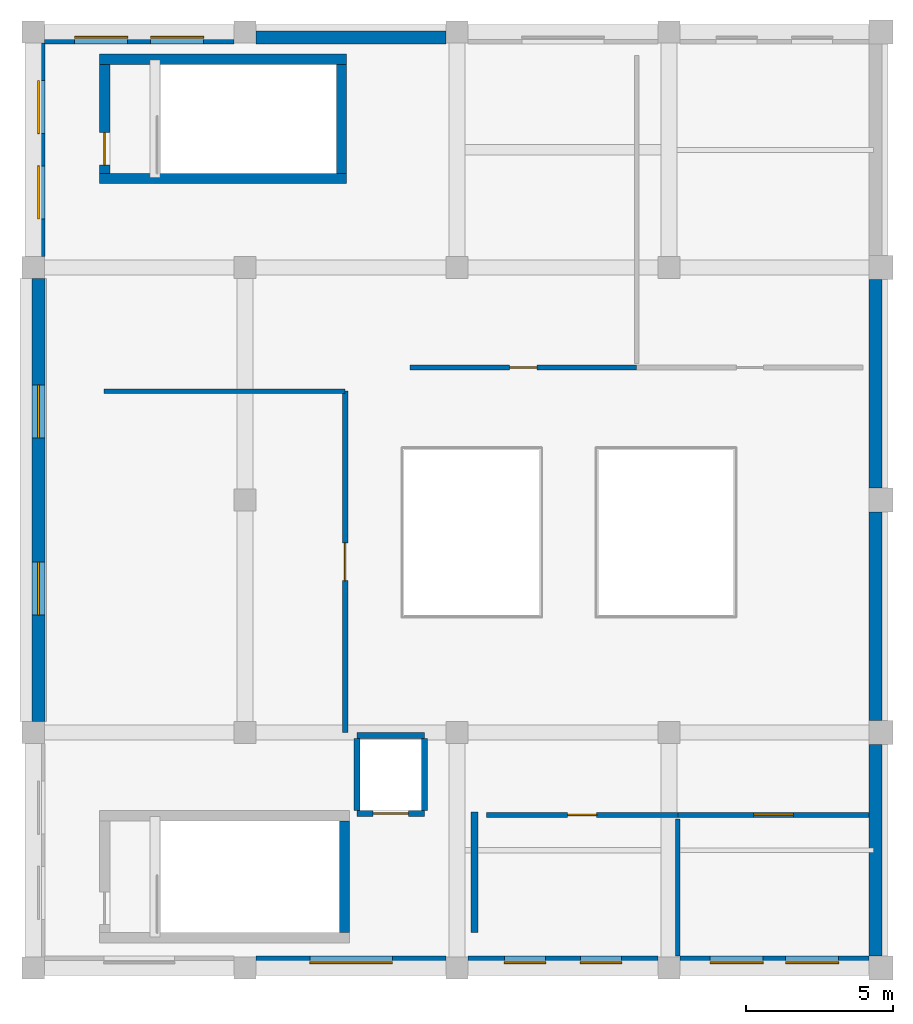
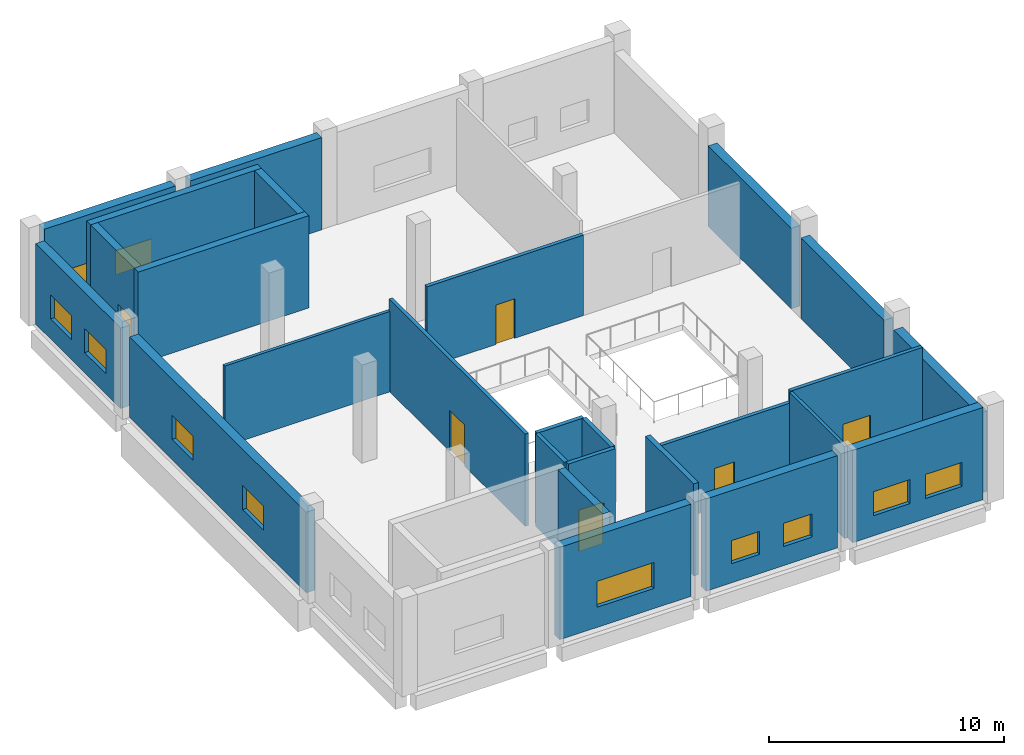
# One storey, part 2 of 4: 26 walls, 11 windows, 6 doors, 17 openings.
"""IFC4 building model written with IfcOpenShell, lengths in metres."""

from ifc_helpers import new_model, si_unit, direction, frame, frame_2d, origin, place, context, subcontext, project, spatial, rectangle, extrude, material, layer, layer_set, type_object, element, fill, save


model = new_model("IFC4")

# Units and contexts
model_context = context("Model", 3, precision=1e-05, world=origin(), true_north=direction((0.0, 1.0)))
body_context = subcontext(model_context, "Body", "Model", "MODEL_VIEW")
ifc_project = project(units=[si_unit("LENGTHUNIT", "METRE"), si_unit("AREAUNIT", "SQUARE_METRE"), si_unit("VOLUMEUNIT", "CUBIC_METRE"), si_unit("PLANEANGLEUNIT", "RADIAN"), si_unit("MASSUNIT", "GRAM", prefix="KILO")], contexts=[model_context])

# Site, building, storey
site_placement = place(None, origin())
site = spatial("IfcSite", under=ifc_project, at=site_placement, CompositionType="ELEMENT")
building_placement = place(site_placement, origin())
building = spatial("IfcBuilding", under=site, at=building_placement, Name="Kelarvand Opera House", CompositionType="ELEMENT")
storey_placement = place(building_placement, frame((0.0, 0.0, 28.5)))
storey = spatial("IfcBuildingStorey", under=building, at=storey_placement, Name="L06", CompositionType="ELEMENT", Elevation=28.5)

# Walls
ifc_material_1 = material(Name="Acoustic double-stud gypsum partition")
ifc_layer_1 = layer(ifc_material_1, 0.14990234375, Name="Acoustic double-stud gypsum partition")
ifc_layer_set_1 = layer_set([ifc_layer_1], Name="Acoustic double-stud gypsum partition")
wall_type_1 = type_object("IfcWallType", Name="Acoustic Room Partition Wall 150", PredefinedType="PARTITIONING", material=ifc_layer_set_1)
wall_1_placement = place(storey_placement, frame((61.60009765625, 66.199951171875, 0.0), z_axis=(0.0, 0.0, 1.0), x_axis=(1.0, 0.0, 0.0)))
element("IfcWall", 1, at=wall_1_placement, inside=storey, type_object=wall_type_1, Name="V2 L06 Partition Wall IW-150 (684)", PredefinedType="PARTITIONING", context=body_context, shape_type="SweptSolid", body=[
    extrude(rectangle(XDim=8.199951171875, YDim=0.14990234375, at=frame_2d((4.10009765625, 0.0))), origin(), (0.0, 0.0, 1.0), 4.184814453125),
])
wall_2_placement = place(storey_placement, frame((81.10009765625, 47.0, 0.0), z_axis=(0.0, 0.0, 1.0), x_axis=(0.0, 1.0, 0.0)))
element("IfcWall", 2, at=wall_2_placement, inside=storey, type_object=wall_type_1, Name="V2 L06 Partition Wall IW-150 (689)", PredefinedType="PARTITIONING", context=body_context, shape_type="SweptSolid", body=[
    extrude(rectangle(XDim=4.659912109375, YDim=0.14990234375, at=frame_2d((2.330078125, 0.0))), origin(), (0.0, 0.0, 1.0), 4.7919921875),
])
ifc_material_2 = material(Name="Concrete C40/50", Category="concrete")
ifc_layer_2 = layer(ifc_material_2, 0.35009765625, Name="Concrete C40/50", Category="concrete")
ifc_layer_set_2 = layer_set([ifc_layer_2], Name="Concrete C40/50")
wall_type_2 = type_object("IfcWallType", Name="Core Stair and Lift Shear Wall 350", PredefinedType="SHEAR", material=ifc_layer_set_2)
wall_3_placement = place(storey_placement, frame((69.77490234375, 51.60009765625, 0.0), z_axis=(0.0, 0.0, 1.0), x_axis=(0.0, -1.0, 0.0)))
element("IfcWall", 3, at=wall_3_placement, inside=storey, type_object=wall_type_2, Name="C2 Stair Core Shear Wall E L06", PredefinedType="SHEAR", context=body_context, shape_type="SweptSolid", body=[
    extrude(rectangle(XDim=3.800048828125, YDim=0.35009765625, at=frame_2d((1.89990234375, 0.0))), origin(), (0.0, 0.0, 1.0), 4.800048828125),
])
for number, where, z_axis, x_axis, name in (
    (4, (61.449951171875, 73.425048828125, 0.0), (0.0, 0.0, 1.0), (1.0, 0.0, 0.0), "C3 Stair Core Shear Wall S L06"),
    (5, (69.85009765625, 77.47509765625, 0.0), (0.0, 0.0, 1.0), (-1.0, 0.0, 0.0), "C3 Stair Core Shear Wall N L06"),
):
    element("IfcWall", number, at=place(storey_placement, frame(where, z_axis=z_axis, x_axis=x_axis)), inside=storey, type_object=wall_type_2, Name=name, PredefinedType="SHEAR", context=body_context, shape_type="SweptSolid", body=[
        extrude(rectangle(XDim=8.400146484375, YDim=0.35009765625, at=frame_2d((4.2001953125, 0.0))), origin(), (0.0, 0.0, 1.0), 4.800048828125),
    ])

# Wall, opening, door
wall_4_placement = place(storey_placement, frame((61.625, 73.60009765625, 0.0), z_axis=(0.0, 0.0, 1.0), x_axis=(0.0, 1.0, 0.0)))
wall_4 = element("IfcWall", 6, at=wall_4_placement, inside=storey, type_object=wall_type_2, Name="C3 Stair Core Shear Wall W L06", PredefinedType="SHEAR", context=body_context, shape_type="SweptSolid", body=[
    extrude(rectangle(XDim=3.699951171875, YDim=0.35009765625, at=frame_2d((1.85009765625, 0.0))), origin(), (0.0, 0.0, 1.0), 4.800048828125),
])
opening_1_placement = place(wall_4_placement, frame((0.280029296875, 0.0, 0.0)))
opening_1 = element("IfcOpeningElement", 7, at=opening_1_placement, cuts=wall_4, Name="Opening FD-01", PredefinedType="OPENING", context=body_context, shape_type="SweptSolid", body=[
    extrude(rectangle(XDim=1.10009765625, YDim=2.080078125, at=frame_2d((0.550048828125, 1.0400390625))), frame((0.0, 0.18505859375, 0.0), z_axis=(0.0, -1.0, 0.0), x_axis=(1.0, 0.0, 0.0)), (0.0, 0.0, 1.0), 0.3701171875),
])
ifc_material_3 = material(Name="Fire-rated brushed stainless steel", Category="steel")
door_type_1 = type_object("IfcDoorType", Name="Steel Fire-Rated Stair and FF Lobby Door 1100x2080", OperationType="NOTDEFINED", PredefinedType="DOOR", material=ifc_material_3)
door_1_placement = place(opening_1_placement, origin())
door_1 = element("IfcDoor", 8, at=door_1_placement, inside=storey, type_object=door_type_1, Name="C3 Stair ST-03 Fire Door L06", OperationType="SINGLE_SWING_RIGHT", OverallHeight=2.080078125, OverallWidth=1.10009765625, PredefinedType="DOOR", context=body_context, shape_type="SweptSolid", body=[
    extrude(rectangle(XDim=1.10009765625, YDim=2.080078125, at=frame_2d((0.550048828125, 1.0400390625))), frame((0.0, 0.02490234375, 0.0), z_axis=(0.0, -1.0, 0.0), x_axis=(1.0, 0.0, 0.0)), (0.0, 0.0, 1.0), 0.050048828125),
])
fill(opening_1, door_1)

# Wall
wall_5_placement = place(storey_placement, frame((69.675048828125, 77.300048828125, 0.0), z_axis=(0.0, 0.0, 1.0), x_axis=(0.0, -1.0, 0.0)))
element("IfcWall", 9, at=wall_5_placement, inside=storey, type_object=wall_type_2, Name="C3 Stair Core Shear Wall E L06", PredefinedType="SHEAR", context=body_context, shape_type="SweptSolid", body=[
    extrude(rectangle(XDim=3.699951171875, YDim=0.35009765625, at=frame_2d((1.85009765625, 0.0))), origin(), (0.0, 0.0, 1.0), 4.800048828125),
])

# Wall, opening, door
ifc_material_4 = material(Name="Concrete C35/45", Category="concrete")
ifc_layer_3 = layer(ifc_material_4, 0.179931640625, Name="Concrete C35/45", Category="concrete")
ifc_layer_set_3 = layer_set([ifc_layer_3], Name="Concrete C35/45")
wall_type_3 = type_object("IfcWallType", Name="Corridor Fire-Rated Partition Wall 180 EI90", PredefinedType="PARTITIONING", material=ifc_layer_set_3)
wall_6_placement = place(storey_placement, frame((69.800048828125, 54.60009765625, 0.0), z_axis=(0.0, 0.0, 1.0), x_axis=(0.0, 1.0, 0.0)))
wall_6 = element("IfcWall", 10, at=wall_6_placement, inside=storey, type_object=wall_type_3, Name="V2 L06 Partition Wall IW-90 (683)", PredefinedType="PARTITIONING", context=body_context, shape_type="SweptSolid", body=[
    extrude(rectangle(XDim=11.599853515625, YDim=0.179931640625, at=frame_2d((5.7998046875, 0.0))), origin(), (0.0, 0.0, 1.0), 4.7919921875),
])
opening_2_placement = place(wall_6_placement, frame((5.159912109375, 0.0, 0.0)))
opening_2 = element("IfcOpeningElement", 11, at=opening_2_placement, cuts=wall_6, Name="Opening D-11", PredefinedType="OPENING", context=body_context, shape_type="SweptSolid", body=[
    extrude(rectangle(XDim=1.280029296875, YDim=2.139892578125, at=frame_2d((0.64013671875, 1.06982421875))), frame((0.0, 0.10009765625, 0.0), z_axis=(0.0, -1.0, 0.0), x_axis=(1.0, 0.0, 0.0)), (0.0, 0.0, 1.0), 0.199951171875),
])
ifc_material_5 = material(Name="Acoustic walnut-veneered hardwood", Category="wood")
door_type_2 = type_object("IfcDoorType", Name="Instrument Store Leaf-and-Half Door 1280x2140", OperationType="NOTDEFINED", PredefinedType="DOOR", material=ifc_material_5)
door_2_placement = place(opening_2_placement, origin())
door_2 = element("IfcDoor", 12, at=door_2_placement, inside=storey, type_object=door_type_2, Name="V2 L06 Door D-11 (306)", OperationType="SINGLE_SWING_RIGHT", OverallHeight=2.139892578125, OverallWidth=1.280029296875, PredefinedType="DOOR", context=body_context, shape_type="SweptSolid", body=[
    extrude(rectangle(XDim=1.280029296875, YDim=2.139892578125, at=frame_2d((0.64013671875, 1.06982421875))), frame((0.0, 0.02490234375, 0.0), z_axis=(0.0, -1.0, 0.0), x_axis=(1.0, 0.0, 0.0)), (0.0, 0.0, 1.0), 0.050048828125),
])
fill(opening_2, door_2)

wall_7_placement = place(storey_placement, frame((72.0, 67.0, 0.0), z_axis=(0.0, 0.0, 1.0), x_axis=(1.0, 0.0, 0.0)))
wall_7 = element("IfcWall", 13, at=wall_7_placement, inside=storey, type_object=wall_type_3, Name="V2 L06 Partition Wall IW-90 (685)", PredefinedType="PARTITIONING", context=body_context, shape_type="SweptSolid", body=[
    extrude(rectangle(XDim=7.699951171875, YDim=0.179931640625, at=frame_2d((3.85009765625, 0.0))), origin(), (0.0, 0.0, 1.0), 4.184814453125),
])
opening_3_placement = place(wall_7_placement, frame((3.389892578125, 0.0, 0.0)))
opening_3 = element("IfcOpeningElement", 14, at=opening_3_placement, cuts=wall_7, Name="Opening D-01", PredefinedType="OPENING", context=body_context, shape_type="SweptSolid", body=[
    extrude(rectangle(XDim=0.919921875, YDim=2.050048828125, at=frame_2d((0.4599609375, 1.02490234375))), frame((0.0, 0.10009765625, 0.0), z_axis=(0.0, -1.0, 0.0), x_axis=(1.0, 0.0, 0.0)), (0.0, 0.0, 1.0), 0.199951171875),
])
door_type_3 = type_object("IfcDoorType", Name="Solid Timber Dressing and WC Door 920x2050", OperationType="NOTDEFINED", PredefinedType="DOOR", material=ifc_material_5)
door_3_placement = place(opening_3_placement, origin())
door_3 = element("IfcDoor", 15, at=door_3_placement, inside=storey, type_object=door_type_3, Name="V2 L06 Door D-01 (307)", OperationType="SINGLE_SWING_LEFT", OverallHeight=2.050048828125, OverallWidth=0.919921875, PredefinedType="DOOR", context=body_context, shape_type="SweptSolid", body=[
    extrude(rectangle(XDim=0.919921875, YDim=2.050048828125, at=frame_2d((0.4599609375, 1.02490234375))), frame((0.0, 0.02490234375, 0.0), z_axis=(0.0, -1.0, 0.0), x_axis=(1.0, 0.0, 0.0)), (0.0, 0.0, 1.0), 0.050048828125),
])
fill(opening_3, door_3)

wall_8_placement = place(storey_placement, frame((74.60009765625, 51.800048828125, 0.0), z_axis=(0.0, 0.0, 1.0), x_axis=(1.0, 0.0, 0.0)))
wall_8 = element("IfcWall", 16, at=wall_8_placement, inside=storey, type_object=wall_type_3, Name="V2 L06 Partition Wall IW-90 (688)", PredefinedType="PARTITIONING", context=body_context, shape_type="SweptSolid", body=[
    extrude(rectangle(XDim=6.5, YDim=0.179931640625, at=frame_2d((3.25, 0.0))), origin(), (0.0, 0.0, 1.0), 4.184814453125),
])
opening_4_placement = place(wall_8_placement, frame((2.760009765625, 0.0, 0.0)))
opening_4 = element("IfcOpeningElement", 17, at=opening_4_placement, cuts=wall_8, Name="Opening D-09", PredefinedType="OPENING", context=body_context, shape_type="SweptSolid", body=[
    extrude(rectangle(XDim=0.97998046875, YDim=2.080078125, at=frame_2d((0.489990234375, 1.0400390625))), frame((0.0, 0.10009765625, 0.0), z_axis=(0.0, -1.0, 0.0), x_axis=(1.0, 0.0, 0.0)), (0.0, 0.0, 1.0), 0.199951171875),
])
door_type_4 = type_object("IfcDoorType", Name="Soloist Acoustic Timber Door 980x2080", OperationType="NOTDEFINED", PredefinedType="DOOR", material=ifc_material_5)
door_4_placement = place(opening_4_placement, origin())
door_4 = element("IfcDoor", 18, at=door_4_placement, inside=storey, type_object=door_type_4, Name="V2 L06 Door D-09 (309)", OperationType="SINGLE_SWING_LEFT", OverallHeight=2.080078125, OverallWidth=0.97998046875, PredefinedType="DOOR", context=body_context, shape_type="SweptSolid", body=[
    extrude(rectangle(XDim=0.97998046875, YDim=2.080078125, at=frame_2d((0.489990234375, 1.0400390625))), frame((0.0, 0.02490234375, 0.0), z_axis=(0.0, -1.0, 0.0), x_axis=(1.0, 0.0, 0.0)), (0.0, 0.0, 1.0), 0.050048828125),
])
fill(opening_4, door_4)

wall_9_placement = place(storey_placement, frame((81.10009765625, 51.800048828125, 0.0), z_axis=(0.0, 0.0, 1.0), x_axis=(1.0, 0.0, 0.0)))
wall_9 = element("IfcWall", 19, at=wall_9_placement, inside=storey, type_object=wall_type_3, Name="V2 L06 Partition Wall IW-90 (690)", PredefinedType="PARTITIONING", context=body_context, shape_type="SweptSolid", body=[
    extrude(rectangle(XDim=6.5, YDim=0.179931640625, at=frame_2d((3.25, 0.0))), origin(), (0.0, 0.0, 1.0), 4.7919921875),
])
opening_5_placement = place(wall_9_placement, frame((2.574951171875, 0.0, 0.0)))
opening_5 = element("IfcOpeningElement", 20, at=opening_5_placement, cuts=wall_9, Name="Opening D-12", PredefinedType="OPENING", context=body_context, shape_type="SweptSolid", body=[
    extrude(rectangle(XDim=1.35009765625, YDim=2.159912109375, at=frame_2d((0.675048828125, 1.080078125))), frame((0.0, 0.10009765625, 0.0), z_axis=(0.0, -1.0, 0.0), x_axis=(1.0, 0.0, 0.0)), (0.0, 0.0, 1.0), 0.199951171875),
])
door_type_5 = type_object("IfcDoorType", Name="Wardrobe Studio Leaf-and-Half Door 1350x2160", OperationType="NOTDEFINED", PredefinedType="DOOR", material=ifc_material_5)
door_5_placement = place(opening_5_placement, origin())
door_5 = element("IfcDoor", 21, at=door_5_placement, inside=storey, type_object=door_type_5, Name="V2 L06 Door D-12 (310)", OperationType="SINGLE_SWING_RIGHT", OverallHeight=2.159912109375, OverallWidth=1.35009765625, PredefinedType="DOOR", context=body_context, shape_type="SweptSolid", body=[
    extrude(rectangle(XDim=1.35009765625, YDim=2.159912109375, at=frame_2d((0.675048828125, 1.080078125))), frame((0.0, 0.02490234375, 0.0), z_axis=(0.0, -1.0, 0.0), x_axis=(1.0, 0.0, 0.0)), (0.0, 0.0, 1.0), 0.050048828125),
])
fill(opening_5, door_5)

# Wall
ifc_layer_4 = layer(ifc_material_4, 0.239990234375, Name="Concrete C35/45", Category="concrete")
ifc_layer_set_4 = layer_set([ifc_layer_4], Name="Concrete C35/45")
wall_type_4 = type_object("IfcWallType", Name="Firefighting Lobby Partition Wall 240 EI120", PredefinedType="PARTITIONING", material=ifc_layer_set_4)
wall_10_placement = place(storey_placement, frame((74.199951171875, 51.89990234375, 0.0), z_axis=(0.0, 0.0, 1.0), x_axis=(0.0, -1.0, 0.0)))
element("IfcWall", 22, at=wall_10_placement, inside=storey, type_object=wall_type_4, Name="V2 L06 Partition Wall IW-120 (682)", PredefinedType="PARTITIONING", context=body_context, shape_type="SweptSolid", body=[
    extrude(rectangle(XDim=4.099853515625, YDim=0.239990234375, at=frame_2d((2.0498046875, 0.0))), origin(), (0.0, 0.0, 1.0), 4.7919921875),
])

# Wall, opening, door
ifc_layer_5 = layer(ifc_material_4, 0.199951171875, Name="Concrete C35/45", Category="concrete")
ifc_layer_set_5 = layer_set([ifc_layer_5], Name="Concrete C35/45")
wall_type_5 = type_object("IfcWallType", Name="Lift and Riser Shaft Enclosure Wall 200 EI120", PredefinedType="PARTITIONING", material=ifc_layer_set_5)
wall_11_placement = place(storey_placement, frame((70.199951171875, 51.85009765625, 0.0), z_axis=(0.0, 0.0, 1.0), x_axis=(1.0, 0.0, 0.0)))
wall_11 = element("IfcWall", 23, at=wall_11_placement, inside=storey, type_object=wall_type_5, Name="V2 L06 Partition Wall SW-200 (678)", PredefinedType="PARTITIONING", context=body_context, shape_type="SweptSolid", body=[
    extrude(rectangle(XDim=2.300048828125, YDim=0.199951171875, at=frame_2d((1.14990234375, 0.0))), origin(), (0.0, 0.0, 1.0), 4.7919921875),
])
opening_6_placement = place(wall_11_placement, frame((0.550048828125, 0.0, 0.0)))
opening_6 = element("IfcOpeningElement", 24, at=opening_6_placement, cuts=wall_11, Name="Opening LD-02", PredefinedType="OPENING", context=body_context, shape_type="SweptSolid", body=[
    extrude(rectangle(XDim=1.199951171875, YDim=2.14990234375, at=frame_2d((0.60009765625, 1.074951171875))), frame((0.0, 0.10986328125, 0.0), z_axis=(0.0, -1.0, 0.0), x_axis=(1.0, 0.0, 0.0)), (0.0, 0.0, 1.0), 0.219970703125),
])
door_type_6 = type_object("IfcDoorType", Name="Firefighting Lift Sliding Landing Door 1200x2150", OperationType="SLIDING_TO_LEFT", PredefinedType="DOOR", material=ifc_material_3)
door_6_placement = place(opening_6_placement, origin())
door_6 = element("IfcDoor", 25, at=door_6_placement, inside=storey, type_object=door_type_6, Name="V2 L06 Door LD-02 (305)", OperationType="SLIDING_TO_LEFT", OverallHeight=2.14990234375, OverallWidth=1.199951171875, PredefinedType="DOOR", context=body_context, shape_type="SweptSolid", body=[
    extrude(rectangle(XDim=1.199951171875, YDim=2.14990234375, at=frame_2d((0.60009765625, 1.074951171875))), frame((0.0, 0.02490234375, 0.0), z_axis=(0.0, -1.0, 0.0), x_axis=(1.0, 0.0, 0.0)), (0.0, 0.0, 1.0), 0.050048828125),
])
fill(opening_6, door_6)

# Walls
wall_12_placement = place(storey_placement, frame((72.5, 54.5, 0.0), z_axis=(0.0, 0.0, 1.0), x_axis=(-1.0, 0.0, 0.0)))
element("IfcWall", 26, at=wall_12_placement, inside=storey, type_object=wall_type_5, Name="V2 L06 Partition Wall SW-200 (679)", PredefinedType="PARTITIONING", context=body_context, shape_type="SweptSolid", body=[
    extrude(rectangle(XDim=2.300048828125, YDim=0.199951171875, at=frame_2d((1.14990234375, 0.0))), origin(), (0.0, 0.0, 1.0), 4.7919921875),
])
for number, where, z_axis, x_axis, name in (
    (27, (70.199951171875, 51.949951171875, 0.0), (0.0, 0.0, 1.0), (0.0, 1.0, 0.0), "V2 L06 Partition Wall SW-200 (680)"),
    (28, (72.5, 54.39990234375, 0.0), (0.0, 0.0, 1.0), (0.0, -1.0, 0.0), "V2 L06 Partition Wall SW-200 (681)"),
):
    element("IfcWall", number, at=place(storey_placement, frame(where, z_axis=z_axis, x_axis=x_axis)), inside=storey, type_object=wall_type_5, Name=name, PredefinedType="PARTITIONING", context=body_context, shape_type="SweptSolid", body=[
        extrude(rectangle(XDim=2.449951171875, YDim=0.199951171875, at=frame_2d((1.22509765625, 0.0))), origin(), (0.0, 0.0, 1.0), 4.7919921875),
    ])
ifc_layer_6 = layer(ifc_material_4, 0.43994140625, Name="Concrete C35/45", Category="concrete")
ifc_layer_set_6 = layer_set([ifc_layer_6], Name="Concrete C35/45")
wall_type_6 = type_object("IfcWallType", Name="Stage House Acoustic Cavity Wall 440", PredefinedType="SOLIDWALL", material=ifc_layer_set_6)
for number, where, z_axis, x_axis, name in (
    (29, (87.820068359375, 69.989990234375, 0.0), (0.0, 0.0, 1.0), (0.0, -1.0, 0.0), "V2 L06 Exterior Wall EW-440 (333)"),
    (30, (87.820068359375, 62.090087890625, 0.0), (0.0, 0.0, 1.0), (0.0, -1.0, 0.0), "V2 L06 Exterior Wall EW-440 (334)"),
):
    element("IfcWall", number, at=place(storey_placement, frame(where, z_axis=z_axis, x_axis=x_axis)), inside=storey, type_object=wall_type_6, Name=name, PredefinedType="SOLIDWALL", context=body_context, shape_type="SweptSolid", body=[
        extrude(rectangle(XDim=7.080078125, YDim=0.43994140625, at=frame_2d((3.5400390625, 0.0))), origin(), (0.0, 0.0, 1.0), 4.191650390625),
    ])
wall_13_placement = place(storey_placement, frame((87.820068359375, 54.18994140625, 0.0), z_axis=(0.0, 0.0, 1.0), x_axis=(0.0, -1.0, 0.0)))
element("IfcWall", 31, at=wall_13_placement, inside=storey, type_object=wall_type_6, Name="V2 L06 Exterior Wall EW-440 (335)", PredefinedType="SOLIDWALL", context=body_context, shape_type="SweptSolid", body=[
    extrude(rectangle(XDim=7.179931640625, YDim=0.43994140625, at=frame_2d((3.58984375, 0.0))), origin(), (0.0, 0.0, 1.0), 4.191650390625),
])

# Wall, openings, windows
wall_14_placement = place(storey_placement, frame((59.574951171875, 78.219970703125, 0.0), z_axis=(0.0, 0.0, 1.0), x_axis=(1.0, 0.0, 0.0)))
wall_14 = element("IfcWall", 32, at=wall_14_placement, inside=storey, type_object=wall_type_6, Name="V2 L06 Exterior Wall EW-440 (336)", PredefinedType="SOLIDWALL", context=body_context, shape_type="SweptSolid", body=[
    extrude(rectangle(XDim=6.449951171875, YDim=0.43994140625, at=frame_2d((3.22509765625, 0.0))), origin(), (0.0, 0.0, 1.0), 4.800048828125),
])
opening_7_placement = place(wall_14_placement, frame((1.034912109375, 0.0, 1.050048828125)))
opening_7 = element("IfcOpeningElement", 33, at=opening_7_placement, cuts=wall_14, Name="Opening WN-23", PredefinedType="OPENING", context=body_context, shape_type="SweptSolid", body=[
    extrude(rectangle(XDim=1.800048828125, YDim=1.25, at=frame_2d((0.89990234375, 0.625))), frame((0.0, 0.22998046875, 0.0), z_axis=(0.0, -1.0, 0.0), x_axis=(1.0, 0.0, 0.0)), (0.0, 0.0, 1.0), 0.4599609375),
])
opening_8_placement = place(wall_14_placement, frame((3.614990234375, 0.0, 1.050048828125)))
opening_8 = element("IfcOpeningElement", 34, at=opening_8_placement, cuts=wall_14, Name="Opening WN-23", PredefinedType="OPENING", context=body_context, shape_type="SweptSolid", body=[
    extrude(rectangle(XDim=1.800048828125, YDim=1.25, at=frame_2d((0.89990234375, 0.625))), frame((0.0, 0.22998046875, 0.0), z_axis=(0.0, -1.0, 0.0), x_axis=(1.0, 0.0, 0.0)), (0.0, 0.0, 1.0), 0.4599609375),
])
ifc_material_6 = material(Name="Thermally broken aluminium and low-E double glazing", Category="aluminium")
window_type_1 = type_object("IfcWindowType", Name="Recessed Aluminium Thermal Window 1800x1250 WN-23", PartitioningType="SINGLE_PANEL", PredefinedType="WINDOW", material=ifc_material_6)
window_1_placement = place(opening_7_placement, origin())
window_1 = element("IfcWindow", 35, at=window_1_placement, inside=storey, type_object=window_type_1, Name="V2 L06 Facade Window WN-23 (122)", OverallHeight=1.25, OverallWidth=1.800048828125, PartitioningType="SINGLE_PANEL", PredefinedType="WINDOW", context=body_context, shape_type="SweptSolid", body=[
    extrude(rectangle(XDim=1.800048828125, YDim=1.25, at=frame_2d((0.89990234375, 0.625))), frame((0.0, 0.030029296875, 0.0), z_axis=(0.0, -1.0, 0.0), x_axis=(1.0, 0.0, 0.0)), (0.0, 0.0, 1.0), 0.06005859375),
])
fill(opening_7, window_1)
window_2_placement = place(opening_8_placement, origin())
window_2 = element("IfcWindow", 36, at=window_2_placement, inside=storey, type_object=window_type_1, Name="V2 L06 Facade Window WN-23 (123)", OverallHeight=1.25, OverallWidth=1.800048828125, PartitioningType="SINGLE_PANEL", PredefinedType="WINDOW", context=body_context, shape_type="SweptSolid", body=[
    extrude(rectangle(XDim=1.800048828125, YDim=1.25, at=frame_2d((0.89990234375, 0.625))), frame((0.0, 0.030029296875, 0.0), z_axis=(0.0, -1.0, 0.0), x_axis=(1.0, 0.0, 0.0)), (0.0, 0.0, 1.0), 0.06005859375),
])
fill(opening_8, window_2)

# Wall
wall_15_placement = place(storey_placement, frame((66.77490234375, 78.219970703125, 0.0), z_axis=(0.0, 0.0, 1.0), x_axis=(1.0, 0.0, 0.0)))
element("IfcWall", 37, at=wall_15_placement, inside=storey, type_object=wall_type_6, Name="V2 L06 Exterior Wall EW-440 (337)", PredefinedType="SOLIDWALL", context=body_context, shape_type="SweptSolid", body=[
    extrude(rectangle(XDim=6.4501953125, YDim=0.43994140625, at=frame_2d((3.22509765625, 0.0))), origin(), (0.0, 0.0, 1.0), 4.800048828125),
])

# Wall, openings, windows
wall_16_placement = place(storey_placement, frame((59.3798828125, 54.97509765625, 0.0), z_axis=(0.0, 0.0, 1.0), x_axis=(0.0, 1.0, 0.0)))
wall_16 = element("IfcWall", 38, at=wall_16_placement, inside=storey, type_object=wall_type_6, Name="V2 L06 Exterior Wall EW-440 (341)", PredefinedType="SOLIDWALL", context=body_context, shape_type="SweptSolid", body=[
    extrude(rectangle(XDim=15.0498046875, YDim=0.43994140625, at=frame_2d((7.52490234375, 0.0))), origin(), (0.0, 0.0, 1.0), 4.191650390625),
])
opening_9_placement = place(wall_16_placement, frame((3.614990234375, 0.0, 1.050048828125)))
opening_9 = element("IfcOpeningElement", 39, at=opening_9_placement, cuts=wall_16, Name="Opening WN-23", PredefinedType="OPENING", context=body_context, shape_type="SweptSolid", body=[
    extrude(rectangle(XDim=1.800048828125, YDim=1.25, at=frame_2d((0.89990234375, 0.625))), frame((0.0, 0.22998046875, 0.0), z_axis=(0.0, -1.0, 0.0), x_axis=(1.0, 0.0, 0.0)), (0.0, 0.0, 1.0), 0.4599609375),
])
opening_10_placement = place(wall_16_placement, frame((9.635009765625, 0.0, 1.050048828125)))
opening_10 = element("IfcOpeningElement", 40, at=opening_10_placement, cuts=wall_16, Name="Opening WN-23", PredefinedType="OPENING", context=body_context, shape_type="SweptSolid", body=[
    extrude(rectangle(XDim=1.800048828125, YDim=1.25, at=frame_2d((0.89990234375, 0.625))), frame((0.0, 0.22998046875, 0.0), z_axis=(0.0, -1.0, 0.0), x_axis=(1.0, 0.0, 0.0)), (0.0, 0.0, 1.0), 0.4599609375),
])
window_3_placement = place(opening_9_placement, origin())
window_3 = element("IfcWindow", 41, at=window_3_placement, inside=storey, type_object=window_type_1, Name="V2 L06 Facade Window WN-23 (129)", OverallHeight=1.25, OverallWidth=1.800048828125, PartitioningType="SINGLE_PANEL", PredefinedType="WINDOW", context=body_context, shape_type="SweptSolid", body=[
    extrude(rectangle(XDim=1.800048828125, YDim=1.25, at=frame_2d((0.89990234375, 0.625))), frame((0.0, 0.030029296875, 0.0), z_axis=(0.0, -1.0, 0.0), x_axis=(1.0, 0.0, 0.0)), (0.0, 0.0, 1.0), 0.06005859375),
])
fill(opening_9, window_3)
window_4_placement = place(opening_10_placement, origin())
window_4 = element("IfcWindow", 42, at=window_4_placement, inside=storey, type_object=window_type_1, Name="V2 L06 Facade Window WN-23 (130)", OverallHeight=1.25, OverallWidth=1.800048828125, PartitioningType="SINGLE_PANEL", PredefinedType="WINDOW", context=body_context, shape_type="SweptSolid", body=[
    extrude(rectangle(XDim=1.800048828125, YDim=1.25, at=frame_2d((0.89990234375, 0.625))), frame((0.0, 0.030029296875, 0.0), z_axis=(0.0, -1.0, 0.0), x_axis=(1.0, 0.0, 0.0)), (0.0, 0.0, 1.0), 0.06005859375),
])
fill(opening_10, window_4)

wall_17_placement = place(storey_placement, frame((59.3798828125, 70.77490234375, 0.0), z_axis=(0.0, 0.0, 1.0), x_axis=(0.0, 1.0, 0.0)))
wall_17 = element("IfcWall", 43, at=wall_17_placement, inside=storey, type_object=wall_type_6, Name="V2 L06 Exterior Wall EW-440 (342)", PredefinedType="SOLIDWALL", context=body_context, shape_type="SweptSolid", body=[
    extrude(rectangle(XDim=7.25, YDim=0.43994140625, at=frame_2d((3.625, 0.0))), origin(), (0.0, 0.0, 1.0), 4.191650390625),
])
opening_11_placement = place(wall_17_placement, frame((1.27490234375, 0.0, 1.050048828125)))
opening_11 = element("IfcOpeningElement", 44, at=opening_11_placement, cuts=wall_17, Name="Opening WN-23", PredefinedType="OPENING", context=body_context, shape_type="SweptSolid", body=[
    extrude(rectangle(XDim=1.800048828125, YDim=1.25, at=frame_2d((0.89990234375, 0.625))), frame((0.0, 0.22998046875, 0.0), z_axis=(0.0, -1.0, 0.0), x_axis=(1.0, 0.0, 0.0)), (0.0, 0.0, 1.0), 0.4599609375),
])
opening_12_placement = place(wall_17_placement, frame((4.175048828125, 0.0, 1.050048828125)))
opening_12 = element("IfcOpeningElement", 45, at=opening_12_placement, cuts=wall_17, Name="Opening WN-23", PredefinedType="OPENING", context=body_context, shape_type="SweptSolid", body=[
    extrude(rectangle(XDim=1.800048828125, YDim=1.25, at=frame_2d((0.89990234375, 0.625))), frame((0.0, 0.22998046875, 0.0), z_axis=(0.0, -1.0, 0.0), x_axis=(1.0, 0.0, 0.0)), (0.0, 0.0, 1.0), 0.4599609375),
])
window_5_placement = place(opening_11_placement, origin())
window_5 = element("IfcWindow", 46, at=window_5_placement, inside=storey, type_object=window_type_1, Name="V2 L06 Facade Window WN-23 (131)", OverallHeight=1.25, OverallWidth=1.800048828125, PartitioningType="SINGLE_PANEL", PredefinedType="WINDOW", context=body_context, shape_type="SweptSolid", body=[
    extrude(rectangle(XDim=1.800048828125, YDim=1.25, at=frame_2d((0.89990234375, 0.625))), frame((0.0, 0.030029296875, 0.0), z_axis=(0.0, -1.0, 0.0), x_axis=(1.0, 0.0, 0.0)), (0.0, 0.0, 1.0), 0.06005859375),
])
fill(opening_11, window_5)
window_6_placement = place(opening_12_placement, origin())
window_6 = element("IfcWindow", 47, at=window_6_placement, inside=storey, type_object=window_type_1, Name="V2 L06 Facade Window WN-23 (132)", OverallHeight=1.25, OverallWidth=1.800048828125, PartitioningType="SINGLE_PANEL", PredefinedType="WINDOW", context=body_context, shape_type="SweptSolid", body=[
    extrude(rectangle(XDim=1.800048828125, YDim=1.25, at=frame_2d((0.89990234375, 0.625))), frame((0.0, 0.030029296875, 0.0), z_axis=(0.0, -1.0, 0.0), x_axis=(1.0, 0.0, 0.0)), (0.0, 0.0, 1.0), 0.06005859375),
])
fill(opening_12, window_6)

wall_18_placement = place(storey_placement, frame((87.590087890625, 46.780029296875, 0.0), z_axis=(0.0, 0.0, 1.0), x_axis=(-1.0, 0.0, 0.0)))
wall_18 = element("IfcWall", 48, at=wall_18_placement, inside=storey, type_object=wall_type_6, Name="V2 L06 Exterior Wall EW-440 (343)", PredefinedType="SOLIDWALL", context=body_context, shape_type="SweptSolid", body=[
    extrude(rectangle(XDim=6.4150390625, YDim=0.43994140625, at=frame_2d((3.20751953125, 0.0))), origin(), (0.0, 0.0, 1.0), 4.800048828125),
])
opening_13_placement = place(wall_18_placement, frame((1.02490234375, 0.0, 1.050048828125)))
opening_13 = element("IfcOpeningElement", 49, at=opening_13_placement, cuts=wall_18, Name="Opening WN-23", PredefinedType="OPENING", context=body_context, shape_type="SweptSolid", body=[
    extrude(rectangle(XDim=1.800048828125, YDim=1.25, at=frame_2d((0.89990234375, 0.625))), frame((0.0, 0.22998046875, 0.0), z_axis=(0.0, -1.0, 0.0), x_axis=(1.0, 0.0, 0.0)), (0.0, 0.0, 1.0), 0.4599609375),
])
opening_14_placement = place(wall_18_placement, frame((3.591064453125, 0.0, 1.050048828125)))
opening_14 = element("IfcOpeningElement", 50, at=opening_14_placement, cuts=wall_18, Name="Opening WN-23", PredefinedType="OPENING", context=body_context, shape_type="SweptSolid", body=[
    extrude(rectangle(XDim=1.800048828125, YDim=1.25, at=frame_2d((0.89990234375, 0.625))), frame((0.0, 0.22998046875, 0.0), z_axis=(0.0, -1.0, 0.0), x_axis=(1.0, 0.0, 0.0)), (0.0, 0.0, 1.0), 0.4599609375),
])
window_7_placement = place(opening_13_placement, origin())
window_7 = element("IfcWindow", 51, at=window_7_placement, inside=storey, type_object=window_type_1, Name="V2 L06 Facade Window WN-23 (133)", OverallHeight=1.25, OverallWidth=1.800048828125, PartitioningType="SINGLE_PANEL", PredefinedType="WINDOW", context=body_context, shape_type="SweptSolid", body=[
    extrude(rectangle(XDim=1.800048828125, YDim=1.25, at=frame_2d((0.89990234375, 0.625))), frame((0.0, 0.030029296875, 0.0), z_axis=(0.0, -1.0, 0.0), x_axis=(1.0, 0.0, 0.0)), (0.0, 0.0, 1.0), 0.06005859375),
])
fill(opening_13, window_7)
window_8_placement = place(opening_14_placement, origin())
window_8 = element("IfcWindow", 52, at=window_8_placement, inside=storey, type_object=window_type_1, Name="V2 L06 Facade Window WN-23 (134)", OverallHeight=1.25, OverallWidth=1.800048828125, PartitioningType="SINGLE_PANEL", PredefinedType="WINDOW", context=body_context, shape_type="SweptSolid", body=[
    extrude(rectangle(XDim=1.800048828125, YDim=1.25, at=frame_2d((0.89990234375, 0.625))), frame((0.0, 0.030029296875, 0.0), z_axis=(0.0, -1.0, 0.0), x_axis=(1.0, 0.0, 0.0)), (0.0, 0.0, 1.0), 0.06005859375),
])
fill(opening_14, window_8)

wall_19_placement = place(storey_placement, frame((80.425048828125, 46.780029296875, 0.0), z_axis=(0.0, 0.0, 1.0), x_axis=(-1.0, 0.0, 0.0)))
wall_19 = element("IfcWall", 53, at=wall_19_placement, inside=storey, type_object=wall_type_6, Name="V2 L06 Exterior Wall EW-440 (344)", PredefinedType="SOLIDWALL", context=body_context, shape_type="SweptSolid", body=[
    extrude(rectangle(XDim=6.449951171875, YDim=0.43994140625, at=frame_2d((3.22509765625, 0.0))), origin(), (0.0, 0.0, 1.0), 4.800048828125),
])
opening_15_placement = place(wall_19_placement, frame((1.235107421875, 0.0, 1.0)))
opening_15 = element("IfcOpeningElement", 54, at=opening_15_placement, cuts=wall_19, Name="Opening WN-24", PredefinedType="OPENING", context=body_context, shape_type="SweptSolid", body=[
    extrude(rectangle(XDim=1.39990234375, YDim=1.199951171875, at=frame_2d((0.699951171875, 0.60009765625))), frame((0.0, 0.22998046875, 0.0), z_axis=(0.0, -1.0, 0.0), x_axis=(1.0, 0.0, 0.0)), (0.0, 0.0, 1.0), 0.4599609375),
])
opening_16_placement = place(wall_19_placement, frame((3.81494140625, 0.0, 1.0)))
opening_16 = element("IfcOpeningElement", 55, at=opening_16_placement, cuts=wall_19, Name="Opening WN-24", PredefinedType="OPENING", context=body_context, shape_type="SweptSolid", body=[
    extrude(rectangle(XDim=1.39990234375, YDim=1.199951171875, at=frame_2d((0.699951171875, 0.60009765625))), frame((0.0, 0.22998046875, 0.0), z_axis=(0.0, -1.0, 0.0), x_axis=(1.0, 0.0, 0.0)), (0.0, 0.0, 1.0), 0.4599609375),
])
window_type_2 = type_object("IfcWindowType", Name="Recessed Aluminium Thermal Window 1400x1200 WN-24", PartitioningType="SINGLE_PANEL", PredefinedType="WINDOW", material=ifc_material_6)
window_9_placement = place(opening_15_placement, origin())
window_9 = element("IfcWindow", 56, at=window_9_placement, inside=storey, type_object=window_type_2, Name="V2 L06 Facade Window WN-24 (135)", OverallHeight=1.199951171875, OverallWidth=1.39990234375, PartitioningType="SINGLE_PANEL", PredefinedType="WINDOW", context=body_context, shape_type="SweptSolid", body=[
    extrude(rectangle(XDim=1.39990234375, YDim=1.199951171875, at=frame_2d((0.699951171875, 0.60009765625))), frame((0.0, 0.030029296875, 0.0), z_axis=(0.0, -1.0, 0.0), x_axis=(1.0, 0.0, 0.0)), (0.0, 0.0, 1.0), 0.06005859375),
])
fill(opening_15, window_9)
window_10_placement = place(opening_16_placement, origin())
window_10 = element("IfcWindow", 57, at=window_10_placement, inside=storey, type_object=window_type_2, Name="V2 L06 Facade Window WN-24 (136)", OverallHeight=1.199951171875, OverallWidth=1.39990234375, PartitioningType="SINGLE_PANEL", PredefinedType="WINDOW", context=body_context, shape_type="SweptSolid", body=[
    extrude(rectangle(XDim=1.39990234375, YDim=1.199951171875, at=frame_2d((0.699951171875, 0.60009765625))), frame((0.0, 0.030029296875, 0.0), z_axis=(0.0, -1.0, 0.0), x_axis=(1.0, 0.0, 0.0)), (0.0, 0.0, 1.0), 0.06005859375),
])
fill(opening_16, window_10)

# Wall, opening, window
wall_20_placement = place(storey_placement, frame((73.22509765625, 46.780029296875, 0.0), z_axis=(0.0, 0.0, 1.0), x_axis=(-1.0, 0.0, 0.0)))
wall_20 = element("IfcWall", 58, at=wall_20_placement, inside=storey, type_object=wall_type_6, Name="V2 L06 Exterior Wall EW-440 (345)", PredefinedType="SOLIDWALL", context=body_context, shape_type="SweptSolid", body=[
    extrude(rectangle(XDim=6.4501953125, YDim=0.43994140625, at=frame_2d((3.22509765625, 0.0))), origin(), (0.0, 0.0, 1.0), 4.800048828125),
])
opening_17_placement = place(wall_20_placement, frame((1.824951171875, 0.0, 1.050048828125)))
opening_17 = element("IfcOpeningElement", 59, at=opening_17_placement, cuts=wall_20, Name="Opening WN-21", PredefinedType="OPENING", context=body_context, shape_type="SweptSolid", body=[
    extrude(rectangle(XDim=2.800048828125, YDim=1.35009765625, at=frame_2d((1.39990234375, 0.675048828125))), frame((0.0, 0.22998046875, 0.0), z_axis=(0.0, -1.0, 0.0), x_axis=(1.0, 0.0, 0.0)), (0.0, 0.0, 1.0), 0.4599609375),
])
window_type_3 = type_object("IfcWindowType", Name="Recessed Aluminium Thermal Window 2800x1350 WN-21", PartitioningType="SINGLE_PANEL", PredefinedType="WINDOW", material=ifc_material_6)
window_11_placement = place(opening_17_placement, origin())
window_11 = element("IfcWindow", 60, at=window_11_placement, inside=storey, type_object=window_type_3, Name="V2 L06 Facade Window WN-21 (137)", OverallHeight=1.35009765625, OverallWidth=2.800048828125, PartitioningType="SINGLE_PANEL", PredefinedType="WINDOW", context=body_context, shape_type="SweptSolid", body=[
    extrude(rectangle(XDim=2.800048828125, YDim=1.35009765625, at=frame_2d((1.39990234375, 0.675048828125))), frame((0.0, 0.030029296875, 0.0), z_axis=(0.0, -1.0, 0.0), x_axis=(1.0, 0.0, 0.0)), (0.0, 0.0, 1.0), 0.06005859375),
])
fill(opening_17, window_11)

save(model, "model.ifc")
